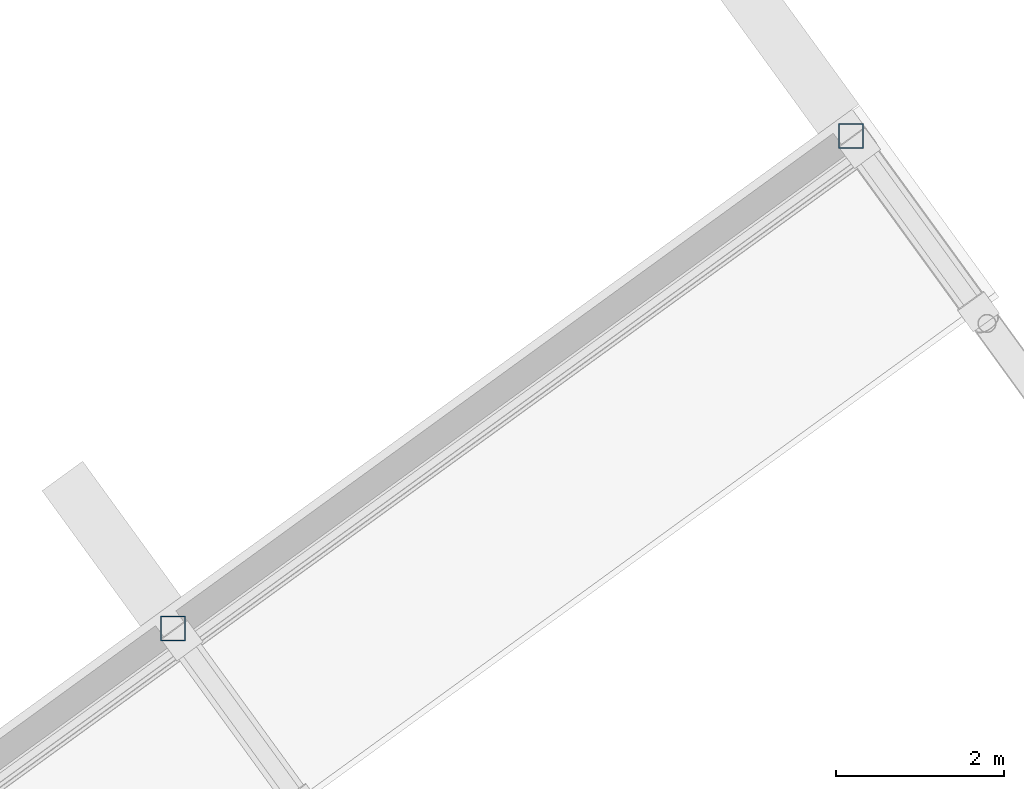
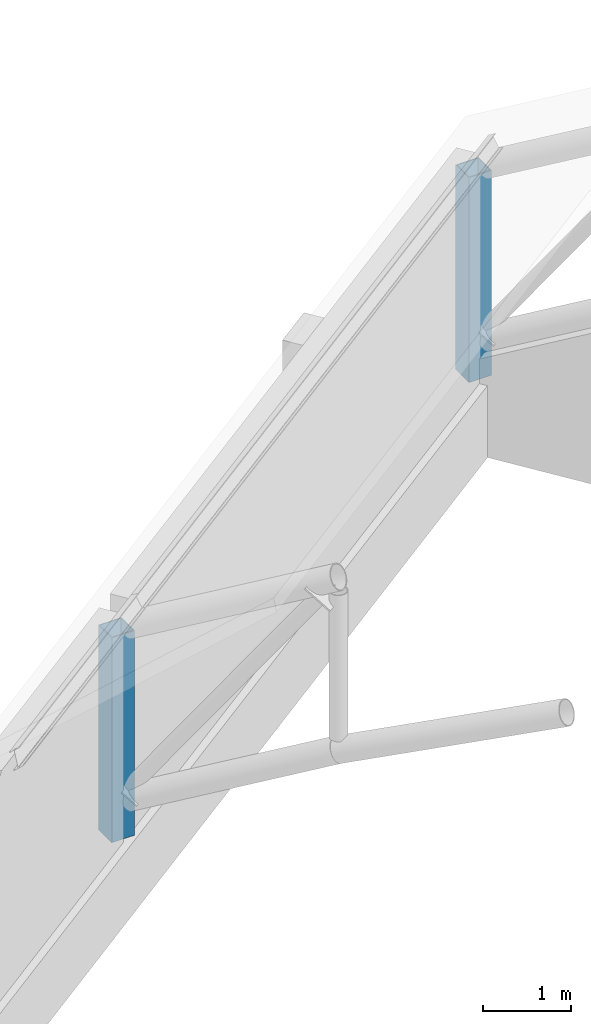
# One storey, part 24 of 196: 2 columns.
"""IFC4 building model written with IfcOpenShell, lengths in metres."""

from ifc_helpers import new_model, si_unit, direction, frame, origin, origin_2d, place, context, subcontext, project, spatial, hollow_rectangle, extrude, material, material_profile, profile_set, type_object, element, save


model = new_model("IFC4")

# Units and contexts
model_context = context("Model", 3, precision=1e-05, world=origin(), true_north=direction((0.0, 1.0)))
body_context = subcontext(model_context, "Body", "Model", "MODEL_VIEW")
ifc_project = project(units=[si_unit("LENGTHUNIT", "METRE"), si_unit("AREAUNIT", "SQUARE_METRE"), si_unit("VOLUMEUNIT", "CUBIC_METRE"), si_unit("PLANEANGLEUNIT", "RADIAN"), si_unit("MASSUNIT", "GRAM", prefix="KILO")], contexts=[model_context])

# Site, building, storey
site_placement = place(None, origin())
site = spatial("IfcSite", under=ifc_project, at=site_placement, CompositionType="ELEMENT")
building_placement = place(site_placement, origin())
building = spatial("IfcBuilding", under=site, at=building_placement, Name="Okhra Congress Centre", CompositionType="ELEMENT")
storey_placement = place(building_placement, frame((0.0, 0.0, 12.0)))
storey = spatial("IfcBuildingStorey", under=building, at=storey_placement, Name="L02", CompositionType="ELEMENT", Elevation=12.0)

# Columns
ifc_material = material(Name="Steel S355J2H", Category="steel")
ifc_material_profile = material_profile(ifc_material, hollow_rectangle(XDim=0.300048828125, YDim=0.300048828125, WallThickness=0.012451171875, at=origin_2d()), Name="RHS 300x300x12.5")
ifc_profile_set = profile_set([ifc_material_profile], Name="Steel S355J2H")
column_type = type_object("IfcColumnType", Name="RHS 300x300x12.5", PredefinedType="COLUMN", material=ifc_profile_set)
for number, where, z_axis, x_axis, name in (
    (1, (238.52099609375, 229.18505859375, 1.0), (0.0, 0.0, 1.0), (1.0, 0.0, 0.0), "Truss 6 end post N"),
    (2, (246.611083984375, 235.06298828125, 1.0), (0.0, 0.0, 1.0), (1.0, 0.0, 0.0), "Truss 7 end post N"),
):
    element("IfcColumn", number, at=place(storey_placement, frame(where, z_axis=z_axis, x_axis=x_axis)), inside=storey, type_object=column_type, Name=name, PredefinedType="COLUMN", context=body_context, shape_type="SweptSolid", body=[
        extrude(hollow_rectangle(XDim=0.300048828125, YDim=0.300048828125, WallThickness=0.012451171875, at=origin_2d()), origin(), (0.0, 0.0, 1.0), 2.85009765625),
    ])

save(model, "model.ifc")
